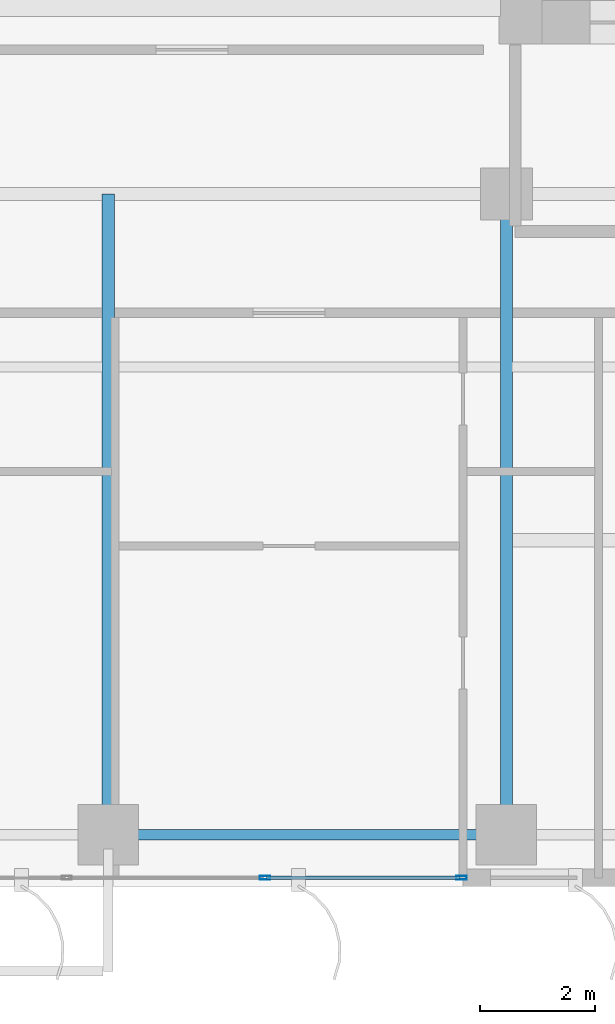
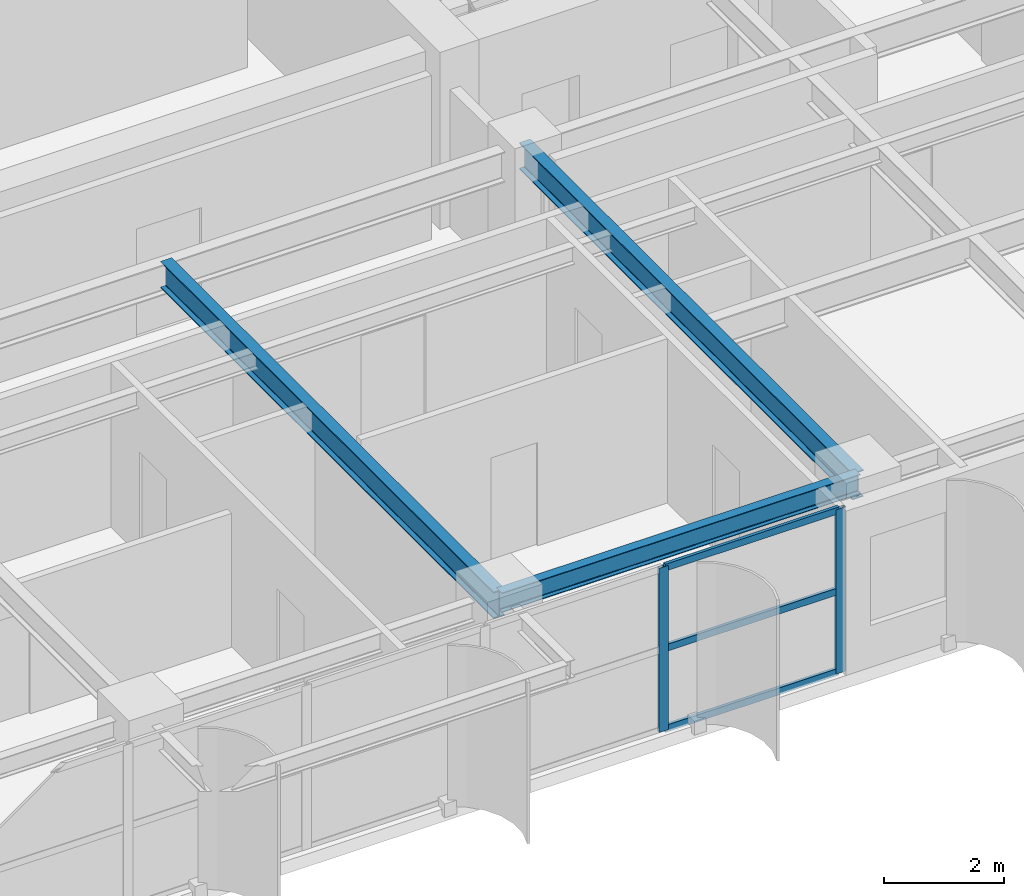
# One storey, part 5 of 27: 5 members, 3 beams, 1 element without a shape of its own.
"""IFC4 building model written with IfcOpenShell, lengths in metres."""

from ifc_helpers import new_model, si_unit, direction, frame, origin, origin_2d, place, context, subcontext, project, spatial, hollow_rectangle, i_section, extrude, source, transform, mapped, material, layer, layer_set, material_profile, profile_set, type_object, element, aggregate, save


model = new_model("IFC4")

# Units and contexts
model_context = context("Model", 3, precision=1e-05, world=origin(), true_north=direction((0.0, 1.0)))
body_context = subcontext(model_context, "Body", "Model", "MODEL_VIEW")
ifc_project = project(units=[si_unit("LENGTHUNIT", "METRE"), si_unit("AREAUNIT", "SQUARE_METRE"), si_unit("VOLUMEUNIT", "CUBIC_METRE"), si_unit("PLANEANGLEUNIT", "RADIAN"), si_unit("MASSUNIT", "GRAM", prefix="KILO")], contexts=[model_context])

# Site, building, storey
site_placement = place(None, origin())
site = spatial("IfcSite", under=ifc_project, at=site_placement, CompositionType="ELEMENT")
building_placement = place(site_placement, origin())
building = spatial("IfcBuilding", under=site, at=building_placement, Name="Khoralis Quay Care Tower", CompositionType="ELEMENT")
storey_placement = place(building_placement, frame((0.0, 0.0, 105.300048828125)))
storey = spatial("IfcBuildingStorey", under=building, at=storey_placement, Name="L27", CompositionType="ELEMENT", Elevation=105.300048828125)

# Beams
ifc_material_1 = material(Name="Steel S355", Category="steel")
ifc_material_profile_1 = material_profile(ifc_material_1, i_section(OverallWidth=0.179931640625, OverallDepth=0.39990234375, WebThickness=0.008544921875, FlangeThickness=0.013427734375, FilletRadius=0.02099609375, at=origin_2d()), Name="Steel S355")
ifc_profile_set_1 = profile_set([ifc_material_profile_1], Name="Steel S355")
beam_type_1 = type_object("IfcBeamType", Name="BM-IPE400", PredefinedType="SPANDREL", material=ifc_profile_set_1)
shared_shape_1 = source(origin(), body_context, "Body", "SweptSolid", [
    extrude(i_section(OverallWidth=0.179931640625, OverallDepth=0.39990234375, WebThickness=0.008544921875, FlangeThickness=0.013427734375, FilletRadius=0.02099609375, at=origin_2d()), origin(), (0.0, 0.0, 1.0), 6.89990234375),
])
beam_placement = place(storey_placement, frame((24.0, 0.89990234375, 3.139892578125), z_axis=(1.0, 0.0, 0.0), x_axis=(0.0, 1.0, 0.0)))
element("IfcBeam", 1, at=beam_placement, inside=storey, type_object=beam_type_1, Name="BM-TSP-L27-04", PredefinedType="SPANDREL", context=body_context, shape_type="MappedRepresentation", body=[
    mapped(shared_shape_1, transform((0.0, 0.0, 0.0), scale=1.0)),
])
ifc_material_profile_2 = material_profile(ifc_material_1, i_section(OverallWidth=0.2119140625, OverallDepth=0.5439453125, WebThickness=0.01318359375, FlangeThickness=0.021240234375, FilletRadius=0.01611328125, at=origin_2d()), Name="Steel S355")
ifc_profile_set_2 = profile_set([ifc_material_profile_2], Name="Steel S355")
beam_type_2 = type_object("IfcBeamType", Name="BM-W530X123", PredefinedType="BEAM", material=ifc_profile_set_2)
shared_shape_2 = source(origin(), body_context, "Body", "SweptSolid", [
    extrude(i_section(OverallWidth=0.2119140625, OverallDepth=0.5439453125, WebThickness=0.01318359375, FlangeThickness=0.021240234375, FilletRadius=0.01611328125, at=origin_2d()), origin(), (0.0, 0.0, 1.0), 11.10009765625),
])
for number, where, z_axis, x_axis, name in (
    (2, (24.0, 0.89990234375, 3.06787109375), (0.0, 1.0, 0.0), (-1.0, 0.0, 0.0), "BM-TGYS-L27-240"),
    (3, (30.89990234375, 0.89990234375, 3.06787109375), (0.0, 1.0, 0.0), (-1.0, 0.0, 0.0), "BM-TGYS-L27-309"),
):
    element("IfcBeam", number, at=place(storey_placement, frame(where, z_axis=z_axis, x_axis=x_axis)), inside=storey, type_object=beam_type_2, Name=name, PredefinedType="BEAM", context=body_context, shape_type="MappedRepresentation", body=[
        mapped(shared_shape_2, transform((0.0, 0.0, 0.0), scale=1.0)),
    ])

# Curtain wall, members
ifc_material_2 = material(Name="Pale anodised aluminium", Category="aluminium")
ifc_layer = layer(ifc_material_2, 0.169921875)
ifc_layer_set = layer_set([ifc_layer], Name="Pale anodised aluminium")
curtain_wall_type = type_object("IfcCurtainWallType", Name="CW-SYS-Z2", PredefinedType="NOTDEFINED", material=ifc_layer_set)
curtain_wall_placement = place(storey_placement, origin())
curtain_wall = element("IfcCurtainWall", 4, at=curtain_wall_placement, inside=storey, type_object=curtain_wall_type, Name="L27 Unitised Curtain Wall CW-L27-P1-E0", PredefinedType="NOTDEFINED")
ifc_material_profile_3 = material_profile(ifc_material_2, hollow_rectangle(XDim=0.06494140625, YDim=0.179931640625, WallThickness=0.00390625, at=origin_2d()), Name="Pale anodised aluminium")
ifc_profile_set_3 = profile_set([ifc_material_profile_3], Name="Pale anodised aluminium")
member_type_1 = type_object("IfcMemberType", Name="CW-MUL-180", PredefinedType="MULLION", material=ifc_profile_set_3)
shared_shape_3 = source(origin(), body_context, "Body", "SweptSolid", [
    extrude(hollow_rectangle(XDim=0.06494140625, YDim=0.179931640625, WallThickness=0.00390625, at=origin_2d()), origin(), (0.0, 0.0, 1.0), 3.33984375),
])
member_1_placement = place(storey_placement, frame((26.716064453125, 0.14990234375, 0.0), z_axis=(0.0, 0.0, 1.0), x_axis=(0.0, 1.0, 0.0)))
member_1 = element("IfcMember", 5, at=member_1_placement, type_object=member_type_1, Name="CW2 mullion 5", PredefinedType="MULLION", context=body_context, shape_type="MappedRepresentation", body=[
    mapped(shared_shape_3, transform((0.0, 0.0, 0.0), scale=1.0)),
])
member_2_placement = place(storey_placement, frame((30.1201171875, 0.14990234375, 0.0), z_axis=(0.0, 0.0, 1.0), x_axis=(0.0, 1.0, 0.0)))
member_2 = element("IfcMember", 6, at=member_2_placement, type_object=member_type_1, Name="CW2 mullion 6", PredefinedType="MULLION", context=body_context, shape_type="MappedRepresentation", body=[
    mapped(shared_shape_3, transform((0.0, 0.0, 0.0), scale=1.0)),
])
ifc_material_profile_4 = material_profile(ifc_material_2, hollow_rectangle(XDim=0.06005859375, YDim=0.139892578125, WallThickness=0.00390625, at=origin_2d()), Name="Pale anodised aluminium")
ifc_profile_set_4 = profile_set([ifc_material_profile_4], Name="Pale anodised aluminium")
member_type_2 = type_object("IfcMemberType", Name="CW-TRN-140", PredefinedType="USERDEFINED", material=ifc_profile_set_4)
shared_shape_4 = source(origin(), body_context, "Body", "SweptSolid", [
    extrude(hollow_rectangle(XDim=0.06005859375, YDim=0.139892578125, WallThickness=0.00390625, at=origin_2d()), origin(), (0.0, 0.0, 1.0), 3.343994140625),
])
member_3_placement = place(storey_placement, frame((26.74609375, 0.14990234375, 0.030029296875), z_axis=(1.0, 0.0, 0.0), x_axis=(0.0, 1.0, 0.0)))
member_3 = element("IfcMember", 7, at=member_3_placement, type_object=member_type_2, Name="CW2 transom 5.1", ObjectType="TRANSOM", PredefinedType="USERDEFINED", context=body_context, shape_type="MappedRepresentation", body=[
    mapped(shared_shape_4, transform((0.0, 0.0, 0.0), scale=1.0)),
])
member_4_placement = place(storey_placement, frame((26.74609375, 0.14990234375, 1.669921875), z_axis=(1.0, 0.0, 0.0), x_axis=(0.0, 1.0, 0.0)))
member_4 = element("IfcMember", 8, at=member_4_placement, type_object=member_type_2, Name="CW2 transom 5.2", ObjectType="TRANSOM", PredefinedType="USERDEFINED", context=body_context, shape_type="MappedRepresentation", body=[
    mapped(shared_shape_4, transform((0.0, 0.0, 0.0), scale=1.0)),
])
member_5_placement = place(storey_placement, frame((26.74609375, 0.14990234375, 3.31005859375), z_axis=(1.0, 0.0, 0.0), x_axis=(0.0, 1.0, 0.0)))
member_5 = element("IfcMember", 9, at=member_5_placement, type_object=member_type_2, Name="CW2 transom 5.3", ObjectType="TRANSOM", PredefinedType="USERDEFINED", context=body_context, shape_type="MappedRepresentation", body=[
    mapped(shared_shape_4, transform((0.0, 0.0, 0.0), scale=1.0)),
])
aggregate(curtain_wall, [member_1, member_2, member_3, member_4, member_5])

save(model, "model.ifc")
